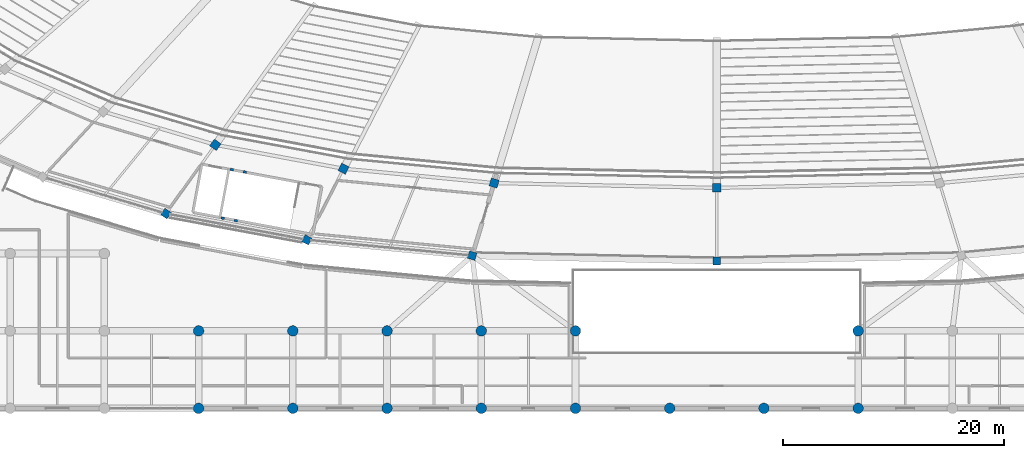
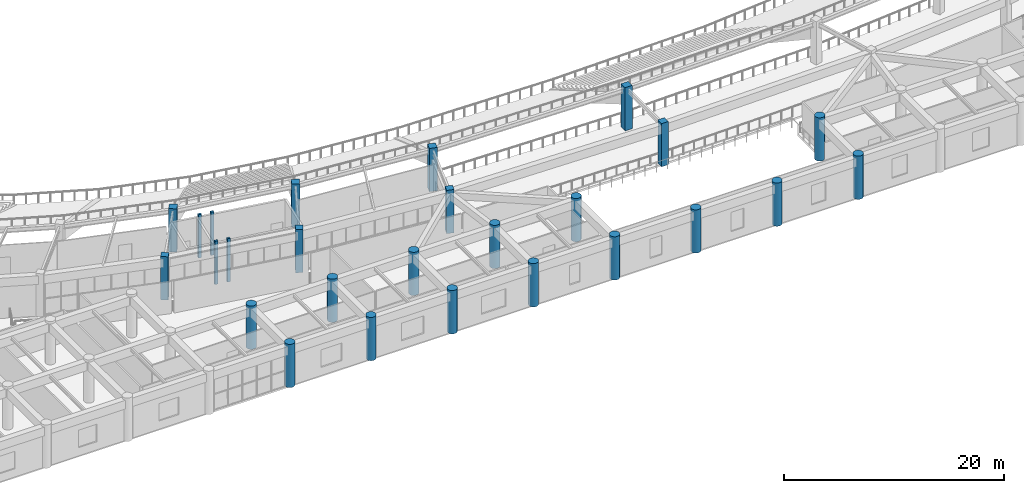
# One storey, part 2 of 137: 26 columns.
"""IFC4 building model written with IfcOpenShell, lengths in metres."""

from ifc_helpers import new_model, si_unit, direction, frame, origin, origin_2d, place, context, subcontext, project, spatial, rectangle, circle, extrude, material, material_profile, profile_set, type_object, element, save


model = new_model("IFC4")

# Units and contexts
model_context = context("Model", 3, precision=1e-05, world=origin(), true_north=direction((0.0, 1.0)))
body_context = subcontext(model_context, "Body", "Model", "MODEL_VIEW")
ifc_project = project(units=[si_unit("LENGTHUNIT", "METRE"), si_unit("AREAUNIT", "SQUARE_METRE"), si_unit("VOLUMEUNIT", "CUBIC_METRE"), si_unit("PLANEANGLEUNIT", "RADIAN"), si_unit("MASSUNIT", "GRAM", prefix="KILO")], contexts=[model_context])

# Site, building, storey
site_placement = place(None, origin())
site = spatial("IfcSite", under=ifc_project, at=site_placement, CompositionType="ELEMENT")
building_placement = place(site_placement, origin())
building = spatial("IfcBuilding", under=site, at=building_placement, Name="Mphavela Belvedere Stadium", CompositionType="ELEMENT")
storey_placement = place(building_placement, frame((0.0, 0.0, 19.199951171875)))
storey = spatial("IfcBuildingStorey", under=building, at=storey_placement, Name="L04", CompositionType="ELEMENT", Elevation=19.199951171875)

# Columns
ifc_material_1 = material(Name="Concrete C40/50", Category="concrete")
ifc_material_profile_1 = material_profile(ifc_material_1, rectangle(XDim=0.300048828125, YDim=0.219970703125, at=origin_2d()), Name="RC 300x220")
ifc_profile_set_1 = profile_set([ifc_material_profile_1], Name="Concrete C40/50")
column_type_1 = type_object("IfcColumnType", Name="COL-CORE-POST-300", PredefinedType="COLUMN", material=ifc_profile_set_1)
for number, where, z_axis, x_axis, name in (
    (1, (72.329833984375, 21.36865234375, 0.0), (0.0, 0.0, 1.0), (-0.983095502692, 0.183093507769, 0.0), "Core C11 stair frame column L04-1"),
    (2, (71.150146484375, 21.58837890625, 0.0), (0.0, 0.0, 1.0), (-0.983095502692, 0.183093507769, 0.0), "Core C11 stair frame column L04-2"),
    (3, (70.331787109375, 17.19384765625, 0.0), (0.0, 0.0, 1.0), (-0.983095502692, 0.183093507769, 0.0), "Core C11 stair frame column L04-3"),
    (4, (71.511474609375, 16.97412109375, 0.0), (0.0, 0.0, 1.0), (-0.983095502692, 0.183093507769, 0.0), "Core C11 stair frame column L04-4"),
):
    element("IfcColumn", number, at=place(storey_placement, frame(where, z_axis=z_axis, x_axis=x_axis)), inside=storey, type_object=column_type_1, Name=name, PredefinedType="COLUMN", context=body_context, shape_type="SweptSolid", body=[
        extrude(rectangle(XDim=0.300048828125, YDim=0.219970703125, at=origin_2d()), origin(), (0.0, 0.0, 1.0), 4.800048828125),
    ])
ifc_material_2 = material(Name="Concrete C40/50", Category="concrete")
ifc_material_profile_2 = material_profile(ifc_material_2, circle(Radius=0.47509765625, at=origin_2d()), Name="COL D950")
ifc_profile_set_2 = profile_set([ifc_material_profile_2], Name="Concrete C40/50")
column_type_2 = type_object("IfcColumnType", Name="COL-DORIC-950", PredefinedType="COLUMN", material=ifc_profile_set_2)
for number, where, z_axis, x_axis, name in (
    (5, (68.14794921875, 0.0, 0.0), (0.0, 0.0, 1.0), (1.0, 0.0, 0.0), "South Axial Triumphal Peristyle Portico classical column L04 9-1"),
    (6, (68.14794921875, 7.0, 0.0), (0.0, 0.0, 1.0), (1.0, 0.0, 0.0), "South Axial Triumphal Peristyle Portico classical column L04 9-2"),
    (7, (76.6669921875, 0.0, 0.0), (0.0, 0.0, 1.0), (1.0, 0.0, 0.0), "South Axial Triumphal Peristyle Portico classical column L04 10-1"),
    (8, (76.6669921875, 7.0, 0.0), (0.0, 0.0, 1.0), (1.0, 0.0, 0.0), "South Axial Triumphal Peristyle Portico classical column L04 10-2"),
    (9, (85.18505859375, 0.0, 0.0), (0.0, 0.0, 1.0), (1.0, 0.0, 0.0), "South Axial Triumphal Peristyle Portico classical column L04 11-1"),
    (10, (85.18505859375, 7.0, 0.0), (0.0, 0.0, 1.0), (1.0, 0.0, 0.0), "South Axial Triumphal Peristyle Portico classical column L04 11-2"),
    (11, (93.7041015625, 0.0, 0.0), (0.0, 0.0, 1.0), (1.0, 0.0, 0.0), "South Axial Triumphal Peristyle Portico classical column L04 12-1"),
    (12, (93.7041015625, 7.0, 0.0), (0.0, 0.0, 1.0), (1.0, 0.0, 0.0), "South Axial Triumphal Peristyle Portico classical column L04 12-2"),
    (13, (102.221923828125, 0.0, 0.0), (0.0, 0.0, 1.0), (1.0, 0.0, 0.0), "South Axial Triumphal Peristyle Portico classical column L04 13-1"),
    (14, (102.221923828125, 7.0, 0.0), (0.0, 0.0, 1.0), (1.0, 0.0, 0.0), "South Axial Triumphal Peristyle Portico classical column L04 13-2"),
    (15, (110.740966796875, 0.0, 0.0), (0.0, 0.0, 1.0), (1.0, 0.0, 0.0), "South Axial Triumphal Peristyle Portico classical column L04 14-1"),
    (16, (119.259033203125, 0.0, 0.0), (0.0, 0.0, 1.0), (1.0, 0.0, 0.0), "South Axial Triumphal Peristyle Portico classical column L04 15-1"),
    (17, (127.778076171875, 0.0, 0.0), (0.0, 0.0, 1.0), (1.0, 0.0, 0.0), "South Axial Triumphal Peristyle Portico classical column L04 16-1"),
    (18, (127.778076171875, 7.0, 0.0), (0.0, 0.0, 1.0), (1.0, 0.0, 0.0), "South Axial Triumphal Peristyle Portico classical column L04 16-2"),
):
    element("IfcColumn", number, at=place(storey_placement, frame(where, z_axis=z_axis, x_axis=x_axis)), inside=storey, type_object=column_type_2, Name=name, PredefinedType="COLUMN", context=body_context, shape_type="SweptSolid", body=[
        extrude(circle(Radius=0.47509765625, at=origin_2d()), origin(), (0.0, 0.0, 1.0), 4.800048828125),
    ])
ifc_material_3 = material(Name="Concrete C40/50", Category="concrete")
ifc_material_profile_3 = material_profile(ifc_material_3, rectangle(XDim=0.699951171875, YDim=0.699951171875, at=origin_2d()), Name="RC 700x700")
ifc_profile_set_3 = profile_set([ifc_material_profile_3], Name="Concrete C40/50")
column_type_3 = type_object("IfcColumnType", Name="COL-RC700", PredefinedType="COLUMN", material=ifc_profile_set_3)
for number, where, z_axis, x_axis, name in (
    (19, (65.19873046875, 17.60302734375, 0.0), (0.0, 0.0, 1.0), (-0.582974127943, -0.812490717577, 0.0), "Outer colonnade column L04 R4-34"),
    (20, (77.92724609375, 15.232666015625, 0.0), (0.0, 0.0, 1.0), (-0.458959712465, -0.888457079624, 0.0), "Outer colonnade column L04 R4-35"),
    (21, (92.885498046875, 13.80615234375, 0.0), (0.0, 0.0, 1.0), (-0.289198876314, -0.957269037387, 0.0), "Outer colonnade column L04 R4-36"),
    (22, (115.0, 13.330078125, 0.0), (0.0, 0.0, 1.0), (0.0, -1.0, 0.0), "Outer colonnade column L04 R4-37"),
):
    element("IfcColumn", number, at=place(storey_placement, frame(where, z_axis=z_axis, x_axis=x_axis)), inside=storey, type_object=column_type_3, Name=name, PredefinedType="COLUMN", context=body_context, shape_type="SweptSolid", body=[
        extrude(rectangle(XDim=0.699951171875, YDim=0.699951171875, at=origin_2d()), origin(), (0.0, 0.0, 1.0), 4.800048828125),
    ])
ifc_material_4 = material(Name="Concrete C40/50", Category="concrete")
ifc_material_profile_4 = material_profile(ifc_material_4, rectangle(XDim=0.75, YDim=0.75, at=origin_2d()), Name="RC 750x750")
ifc_profile_set_4 = profile_set([ifc_material_profile_4], Name="Concrete C40/50")
column_type_4 = type_object("IfcColumnType", Name="COL-RC750", PredefinedType="COLUMN", material=ifc_profile_set_4)
for number, where, z_axis, x_axis, name in (
    (23, (69.662109375, 23.822509765625, 0.0), (0.0, 0.0, 1.0), (-0.582974127943, -0.812490717577, 0.0), "Main bowl column L04 R3-34"),
    (24, (81.249755859375, 21.66455078125, 0.0), (0.0, 0.0, 1.0), (-0.458959712465, -0.888457079624, 0.0), "Main bowl column L04 R3-35"),
    (25, (94.8671875, 20.365966796875, 0.0), (0.0, 0.0, 1.0), (-0.289198876314, -0.957269037387, 0.0), "Main bowl column L04 R3-36"),
    (26, (115.0, 19.9326171875, 0.0), (0.0, 0.0, 1.0), (0.0, -1.0, 0.0), "Main bowl column L04 R3-37"),
):
    element("IfcColumn", number, at=place(storey_placement, frame(where, z_axis=z_axis, x_axis=x_axis)), inside=storey, type_object=column_type_4, Name=name, PredefinedType="COLUMN", context=body_context, shape_type="SweptSolid", body=[
        extrude(rectangle(XDim=0.75, YDim=0.75, at=origin_2d()), origin(), (0.0, 0.0, 1.0), 4.800048828125),
    ])

save(model, "model.ifc")
